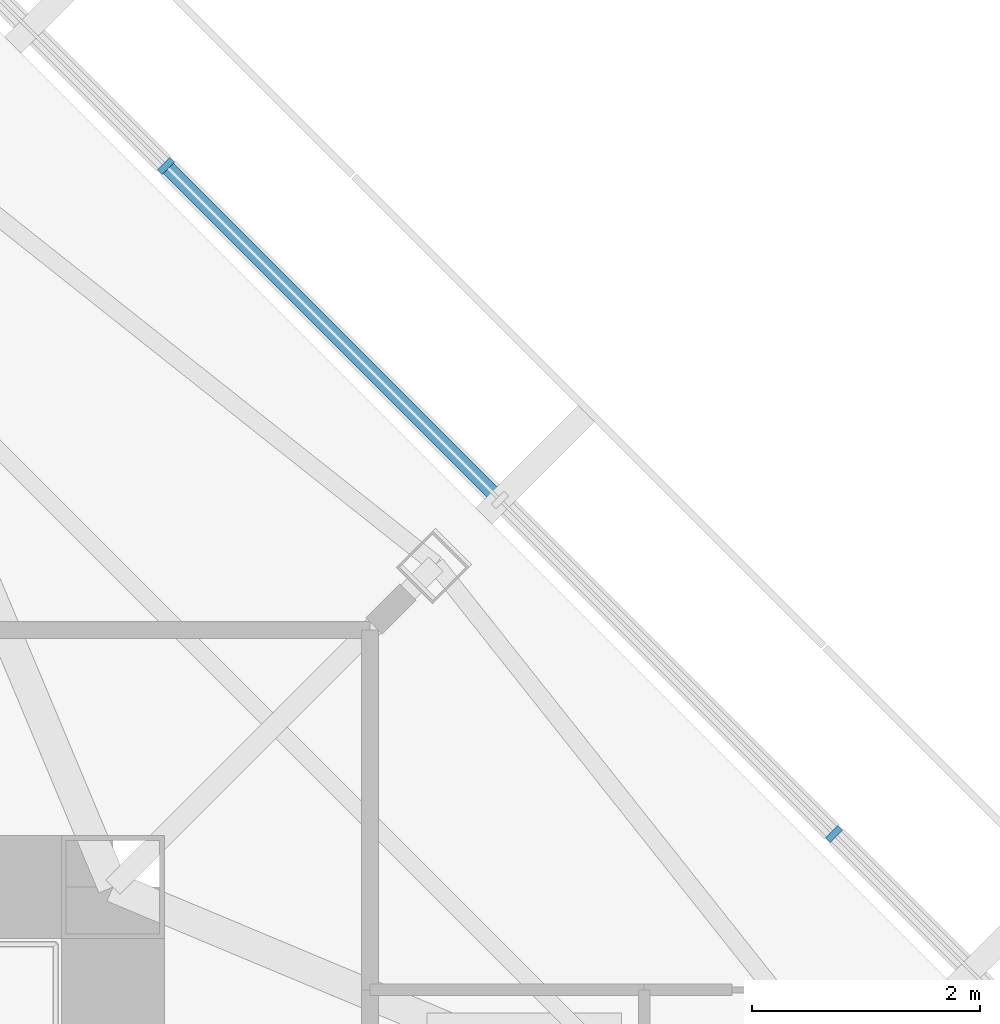
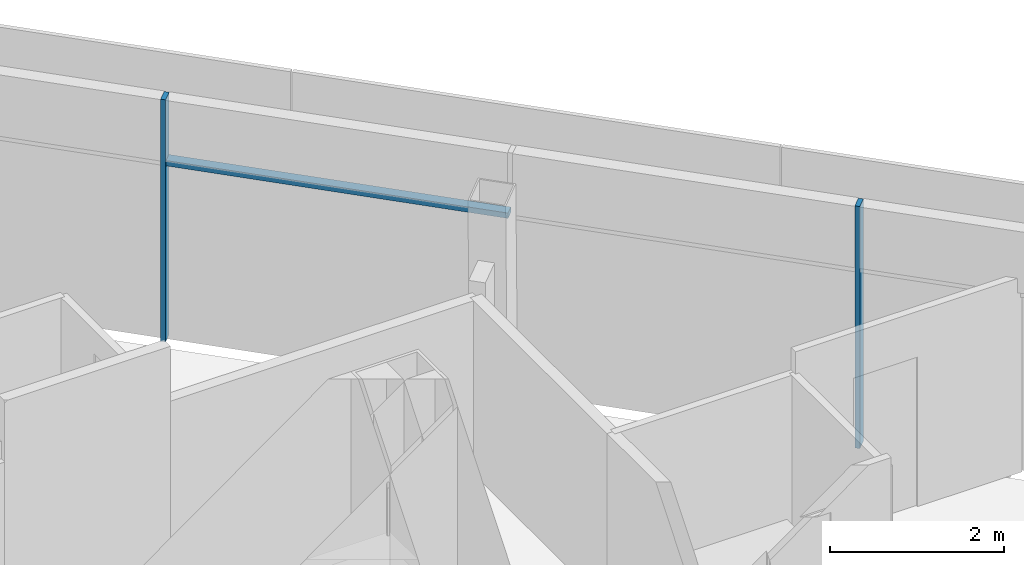
# One storey, part 7 of 15: 3 members, 1 element without a shape of its own.
"""IFC4 building model written with IfcOpenShell, lengths in metres."""

from ifc_helpers import new_model, si_unit, direction, frame, origin, origin_2d, place, context, subcontext, project, spatial, rectangle, extrude, source, transform, mapped, material, material_profile, profile_set, type_object, type_shapes, element, aggregate, save


model = new_model("IFC4")

# Units and contexts
model_context = context("Model", 3, precision=1e-05, world=origin(), true_north=direction((0.0, 1.0)))
body_context = subcontext(model_context, "Body", "Model", "MODEL_VIEW")
ifc_project = project(units=[si_unit("LENGTHUNIT", "METRE"), si_unit("AREAUNIT", "SQUARE_METRE"), si_unit("VOLUMEUNIT", "CUBIC_METRE"), si_unit("PLANEANGLEUNIT", "RADIAN"), si_unit("MASSUNIT", "GRAM", prefix="KILO")], contexts=[model_context])

# Site, building, storey
site_placement = place(None, origin())
site = spatial("IfcSite", under=ifc_project, at=site_placement, CompositionType="ELEMENT")
building_placement = place(site_placement, origin())
building = spatial("IfcBuilding", under=site, at=building_placement, Name="Mashrafa Tower", CompositionType="ELEMENT")
storey_placement = place(building_placement, frame((0.0, 0.0, 281.0)))
storey = spatial("IfcBuildingStorey", under=building, at=storey_placement, Name="L68", CompositionType="ELEMENT", Elevation=281.0)

# Curtain wall, members
ifc_material_1 = material(Name="Unitised aluminium curtain wall", Category="aluminium")
curtain_wall_type = type_object("IfcCurtainWallType", Name="Apartment curtain wall, zone 4 CW-D 160 deep", PredefinedType="NOTDEFINED", material=ifc_material_1)
curtain_wall_placement = place(storey_placement, origin())
curtain_wall = element("IfcCurtainWall", 1, at=curtain_wall_placement, inside=storey, type_object=curtain_wall_type, Name="Apartment curtain wall, zone 4 L68 north-east", PredefinedType="NOTDEFINED")
ifc_material_2 = material(Name="Extruded aluminium mullion", Category="aluminium")
ifc_material_profile_1 = material_profile(ifc_material_2, rectangle(XDim=0.159912109375, YDim=0.06005859375, at=origin_2d()), Name="Mullion 60x160")
ifc_profile_set_1 = profile_set([ifc_material_profile_1], Name="Extruded aluminium mullion")
member_type_1 = type_object("IfcMemberType", Name="Mullion CW-D 60 x 160", PredefinedType="MULLION", material=ifc_profile_set_1)
shared_shape_1 = source(origin(), body_context, "Body", "SweptSolid", [
    extrude(rectangle(XDim=0.159912109375, YDim=0.06005859375, at=origin_2d()), origin(), (0.0, 0.0, 1.0), 3.39990234375),
])
type_shapes(member_type_1, [shared_shape_1])
member_1_placement = place(storey_placement, frame((17.11181640625, 11.26513671875, 0.0), z_axis=(0.0, 0.0, 1.0), x_axis=(-0.707106781187, -0.707106781187, 0.0)))
member_1 = element("IfcMember", 2, at=member_1_placement, type_object=member_type_1, Name="CW-D mullion 2", PredefinedType="MULLION", context=body_context, shape_type="MappedRepresentation", body=[
    mapped(shared_shape_1, transform((0.0, 0.0, 0.0))),
])
member_2_placement = place(storey_placement, frame((11.26513671875, 17.11181640625, 0.0), z_axis=(0.0, 0.0, 1.0), x_axis=(-0.707106781187, -0.707106781187, 0.0)))
member_2 = element("IfcMember", 3, at=member_2_placement, type_object=member_type_1, Name="CW-D mullion 4", PredefinedType="MULLION", context=body_context, shape_type="MappedRepresentation", body=[
    mapped(shared_shape_1, transform((0.0, 0.0, 0.0))),
])
ifc_material_3 = material(Name="Extruded aluminium transom", Category="aluminium")
ifc_material_profile_2 = material_profile(ifc_material_3, rectangle(XDim=0.1279296875, YDim=0.074951171875, at=origin_2d()), Name="Transom 75x128")
ifc_profile_set_2 = profile_set([ifc_material_profile_2], Name="Extruded aluminium transom")
member_type_2 = type_object("IfcMemberType", Name="Transom CW-D 75 x 128", PredefinedType="MULLION", material=ifc_profile_set_2)
shared_shape_2 = source(origin(), body_context, "Body", "SweptSolid", [
    extrude(rectangle(XDim=0.1279296875, YDim=0.074951171875, at=origin_2d()), origin(), (0.0, 0.0, 1.0), 4.07421875),
])
type_shapes(member_type_2, [shared_shape_2])
member_3_placement = place(storey_placement, frame((14.167236328125, 14.209716796875, 2.5), z_axis=(-0.707106781187, 0.707106781187, 0.0), x_axis=(-0.707106781187, -0.707106781187, 0.0)))
member_3 = element("IfcMember", 4, at=member_3_placement, type_object=member_type_2, Name="CW-D transom 3", PredefinedType="MULLION", context=body_context, shape_type="MappedRepresentation", body=[
    mapped(shared_shape_2, transform((0.0, 0.0, 0.0))),
])
aggregate(curtain_wall, [member_1, member_2, member_3])

save(model, "model.ifc")
